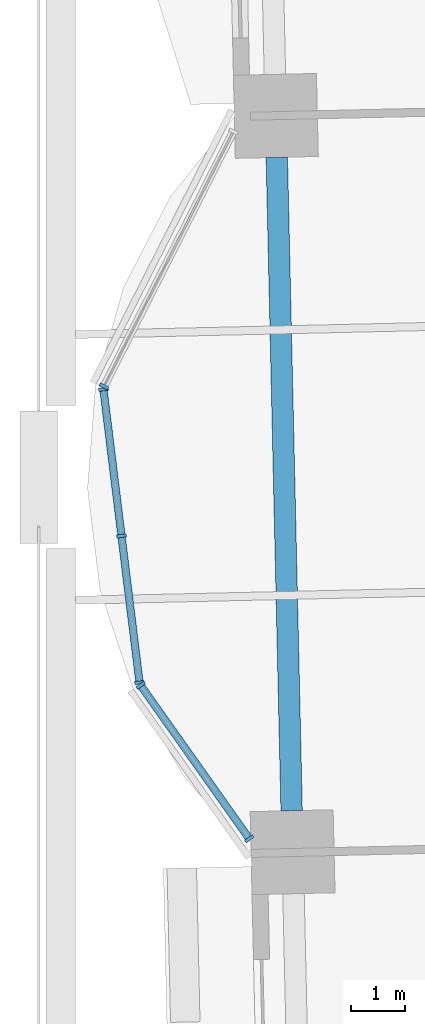
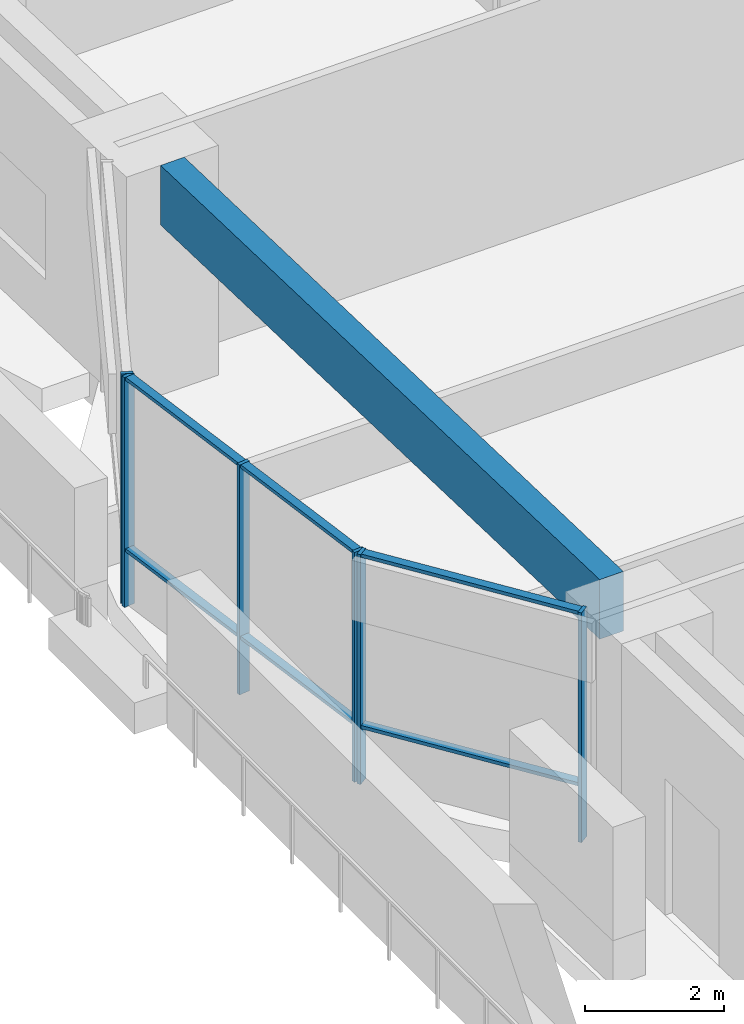
# One storey, part 2 of 21: 12 members, 1 beam, 3 elements without a shape of their own.
"""IFC4 building model written with IfcOpenShell, lengths in metres."""

from ifc_helpers import new_model, si_unit, direction, frame, origin, origin_2d, place, context, subcontext, project, spatial, rectangle, extrude, material, material_profile, profile_set, type_object, element, aggregate, save


model = new_model("IFC4")

# Units and contexts
model_context = context("Model", 3, precision=1e-05, world=origin(), true_north=direction((0.0, 1.0)))
body_context = subcontext(model_context, "Body", "Model", "MODEL_VIEW")
ifc_project = project(units=[si_unit("LENGTHUNIT", "METRE"), si_unit("AREAUNIT", "SQUARE_METRE"), si_unit("VOLUMEUNIT", "CUBIC_METRE"), si_unit("PLANEANGLEUNIT", "RADIAN"), si_unit("MASSUNIT", "GRAM", prefix="KILO")], contexts=[model_context])

# Site, building, storey
site_placement = place(None, origin())
site = spatial("IfcSite", under=ifc_project, at=site_placement, CompositionType="ELEMENT")
building_placement = place(site_placement, origin())
building = spatial("IfcBuilding", under=site, at=building_placement, Name="Mangrove Gate Tower", CompositionType="ELEMENT")
storey_placement = place(building_placement, frame((0.0, 0.0, 29.5)))
storey = spatial("IfcBuildingStorey", under=building, at=storey_placement, Name="L06", CompositionType="ELEMENT", Elevation=29.5)

# Beam
ifc_material_1 = material(Name="Concrete C50/60", Category="concrete")
ifc_material_profile_1 = material_profile(ifc_material_1, rectangle(XDim=0.39990234375, YDim=1.050048828125, at=origin_2d()))
ifc_profile_set_1 = profile_set([ifc_material_profile_1], Name="Concrete C50/60")
beam_type = type_object("IfcBeamType", Name="Edge beam RC 400x1050 C50/60", PredefinedType="BEAM", material=ifc_profile_set_1)
beam_placement = place(storey_placement, frame((-31.755615234375, 3.767822265625, 3.52490234375), z_axis=(0.0226918597, -0.9997425066, 0.0), x_axis=(0.9997425066, 0.0226918597, 0.0)))
element("IfcBeam", 1, at=beam_placement, inside=storey, type_object=beam_type, Name="Edge beam L06 36", PredefinedType="BEAM", context=body_context, shape_type="SweptSolid", body=[
    extrude(rectangle(XDim=0.39990234375, YDim=1.050048828125, at=origin_2d()), origin(), (0.0, 0.0, 1.0), 12.20068359375),
])

# Curtain wall, member
ifc_material_2 = material(Name="Aluminium and glass curtain wall", Category="aluminium")
curtain_wall_type = type_object("IfcCurtainWallType", Name="Sky-lounge glazing wall", PredefinedType="NOTDEFINED", material=ifc_material_2)
curtain_wall_1_placement = place(storey_placement, origin())
curtain_wall_1 = element("IfcCurtainWall", 2, at=curtain_wall_1_placement, inside=storey, type_object=curtain_wall_type, Name="Sky-lounge glazing W9f1", PredefinedType="NOTDEFINED")
ifc_material_3 = material(Name="Aluminium alloy 6063-T6", Category="aluminium")
ifc_material_profile_2 = material_profile(ifc_material_3, rectangle(XDim=0.06005859375, YDim=0.179931640625, at=origin_2d()))
ifc_profile_set_2 = profile_set([ifc_material_profile_2], Name="Aluminium alloy 6063-T6")
member_type_1 = type_object("IfcMemberType", Name="Sky-lounge glazing mullion 60x180", PredefinedType="MULLION", material=ifc_profile_set_2)
member_1_placement = place(storey_placement, frame((-34.98193359375, -0.50732421875, 0.0), z_axis=(0.0, 0.0, 1.0), x_axis=(-0.452600221433, -0.8917135412, 0.0)))
member_1 = element("IfcMember", 3, at=member_1_placement, type_object=member_type_1, Name="CWK mullion 2", PredefinedType="MULLION", context=body_context, shape_type="SweptSolid", body=[
    extrude(rectangle(XDim=0.06005859375, YDim=0.179931640625, at=origin_2d()), origin(), (0.0, 0.0, 1.0), 4.050048828125),
])
aggregate(curtain_wall_1, [member_1])

# Curtain wall, members
curtain_wall_2_placement = place(storey_placement, origin())
curtain_wall_2 = element("IfcCurtainWall", 4, at=curtain_wall_2_placement, inside=storey, type_object=curtain_wall_type, Name="Sky-lounge glazing W9f2", PredefinedType="NOTDEFINED")
member_2_placement = place(storey_placement, frame((-34.991943359375, -0.563720703125, 0.0), z_axis=(0.0, 0.0, 1.0), x_axis=(0.122172285885, -0.992508908051, 0.0)))
member_2 = element("IfcMember", 5, at=member_2_placement, type_object=member_type_1, Name="CWK mullion 1", PredefinedType="MULLION", context=body_context, shape_type="SweptSolid", body=[
    extrude(rectangle(XDim=0.06005859375, YDim=0.179931640625, at=origin_2d()), origin(), (0.0, 0.0, 1.0), 4.050048828125),
])
member_3_placement = place(storey_placement, frame((-34.655029296875, -3.2998046875, 0.0), z_axis=(0.0, 0.0, 1.0), x_axis=(0.122172285885, -0.992508908051, 0.0)))
member_3 = element("IfcMember", 6, at=member_3_placement, type_object=member_type_1, Name="CWK mullion 2", PredefinedType="MULLION", context=body_context, shape_type="SweptSolid", body=[
    extrude(rectangle(XDim=0.06005859375, YDim=0.179931640625, at=origin_2d()), origin(), (0.0, 0.0, 1.0), 4.050048828125),
])
member_4_placement = place(storey_placement, frame((-34.318359375, -6.035888671875, 0.0), z_axis=(0.0, 0.0, 1.0), x_axis=(0.122172285885, -0.992508908051, 0.0)))
member_4 = element("IfcMember", 7, at=member_4_placement, type_object=member_type_1, Name="CWK mullion 3", PredefinedType="MULLION", context=body_context, shape_type="SweptSolid", body=[
    extrude(rectangle(XDim=0.06005859375, YDim=0.179931640625, at=origin_2d()), origin(), (0.0, 0.0, 1.0), 4.050048828125),
])

curtain_wall_3_placement = place(storey_placement, origin())
curtain_wall_3 = element("IfcCurtainWall", 8, at=curtain_wall_3_placement, inside=storey, type_object=curtain_wall_type, Name="Sky-lounge glazing W9f3", PredefinedType="NOTDEFINED")
member_5_placement = place(storey_placement, frame((-34.29736328125, -6.090087890625, 0.0), z_axis=(0.0, 0.0, 1.0), x_axis=(0.578122868735, -0.815949721886, 0.0)))
member_5 = element("IfcMember", 9, at=member_5_placement, type_object=member_type_1, Name="CWK mullion 1", PredefinedType="MULLION", context=body_context, shape_type="SweptSolid", body=[
    extrude(rectangle(XDim=0.06005859375, YDim=0.179931640625, at=origin_2d()), origin(), (0.0, 0.0, 1.0), 4.050048828125),
])
member_6_placement = place(storey_placement, frame((-32.268798828125, -8.953125, 0.0), z_axis=(0.0, 0.0, 1.0), x_axis=(0.578122868735, -0.815949721886, 0.0)))
member_6 = element("IfcMember", 10, at=member_6_placement, type_object=member_type_1, Name="CWK mullion 2", PredefinedType="MULLION", context=body_context, shape_type="SweptSolid", body=[
    extrude(rectangle(XDim=0.06005859375, YDim=0.179931640625, at=origin_2d()), origin(), (0.0, 0.0, 1.0), 4.050048828125),
])

# Member
ifc_material_4 = material(Name="Aluminium alloy 6063-T6", Category="aluminium")
ifc_material_profile_3 = material_profile(ifc_material_4, rectangle(XDim=0.06005859375, YDim=0.139892578125, at=origin_2d()))
ifc_profile_set_3 = profile_set([ifc_material_profile_3], Name="Aluminium alloy 6063-T6")
member_type_2 = type_object("IfcMemberType", Name="Sky-lounge glazing transom 60x140", PredefinedType="USERDEFINED", material=ifc_profile_set_3)
member_7_placement = place(storey_placement, frame((-34.98828125, -0.593505859375, 1.0), z_axis=(0.122218313927, -0.992503241174, 0.0), x_axis=(0.0, 0.0, 1.0)))
member_7 = element("IfcMember", 11, at=member_7_placement, type_object=member_type_2, Name="CWK transom 1.2", ObjectType="TRANSOM", PredefinedType="USERDEFINED", context=body_context, shape_type="SweptSolid", body=[
    extrude(rectangle(XDim=0.06005859375, YDim=0.139892578125, at=origin_2d()), origin(), (0.0, 0.0, 1.0), 2.69677734375),
])

member_8_placement = place(storey_placement, frame((-34.98828125, -0.593505859375, 4.02001953125), z_axis=(0.122218313927, -0.992503241174, 0.0), x_axis=(0.0, 0.0, 1.0)))
member_8 = element("IfcMember", 12, at=member_8_placement, type_object=member_type_2, Name="CWK transom 1.3", ObjectType="TRANSOM", PredefinedType="USERDEFINED", context=body_context, shape_type="SweptSolid", body=[
    extrude(rectangle(XDim=0.06005859375, YDim=0.139892578125, at=origin_2d()), origin(), (0.0, 0.0, 1.0), 2.69677734375),
])

member_9_placement = place(storey_placement, frame((-34.6513671875, -3.32958984375, 1.0), z_axis=(0.122129132669, -0.992514219018, 0.0), x_axis=(0.0, 0.0, 1.0)))
member_9 = element("IfcMember", 13, at=member_9_placement, type_object=member_type_2, Name="CWK transom 2.2", ObjectType="TRANSOM", PredefinedType="USERDEFINED", context=body_context, shape_type="SweptSolid", body=[
    extrude(rectangle(XDim=0.06005859375, YDim=0.139892578125, at=origin_2d()), origin(), (0.0, 0.0, 1.0), 2.69677734375),
])

member_10_placement = place(storey_placement, frame((-34.6513671875, -3.32958984375, 4.02001953125), z_axis=(0.122129132669, -0.992514219018, 0.0), x_axis=(0.0, 0.0, 1.0)))
member_10 = element("IfcMember", 14, at=member_10_placement, type_object=member_type_2, Name="CWK transom 2.3", ObjectType="TRANSOM", PredefinedType="USERDEFINED", context=body_context, shape_type="SweptSolid", body=[
    extrude(rectangle(XDim=0.06005859375, YDim=0.139892578125, at=origin_2d()), origin(), (0.0, 0.0, 1.0), 2.69677734375),
])

aggregate(curtain_wall_2, [member_2, member_3, member_4, member_7, member_8, member_9, member_10])

member_11_placement = place(storey_placement, frame((-34.280029296875, -6.11474609375, 1.0), z_axis=(0.578146966246, -0.8159326476, 0.0), x_axis=(0.0, 0.0, 1.0)))
member_11 = element("IfcMember", 15, at=member_11_placement, type_object=member_type_2, Name="CWK transom 1.2", ObjectType="TRANSOM", PredefinedType="USERDEFINED", context=body_context, shape_type="SweptSolid", body=[
    extrude(rectangle(XDim=0.06005859375, YDim=0.139892578125, at=origin_2d()), origin(), (0.0, 0.0, 1.0), 3.44873046875),
])

member_12_placement = place(storey_placement, frame((-34.280029296875, -6.11474609375, 4.02001953125), z_axis=(0.578146966246, -0.8159326476, 0.0), x_axis=(0.0, 0.0, 1.0)))
member_12 = element("IfcMember", 16, at=member_12_placement, type_object=member_type_2, Name="CWK transom 1.3", ObjectType="TRANSOM", PredefinedType="USERDEFINED", context=body_context, shape_type="SweptSolid", body=[
    extrude(rectangle(XDim=0.06005859375, YDim=0.139892578125, at=origin_2d()), origin(), (0.0, 0.0, 1.0), 3.44873046875),
])

aggregate(curtain_wall_3, [member_5, member_6, member_11, member_12])

save(model, "model.ifc")
